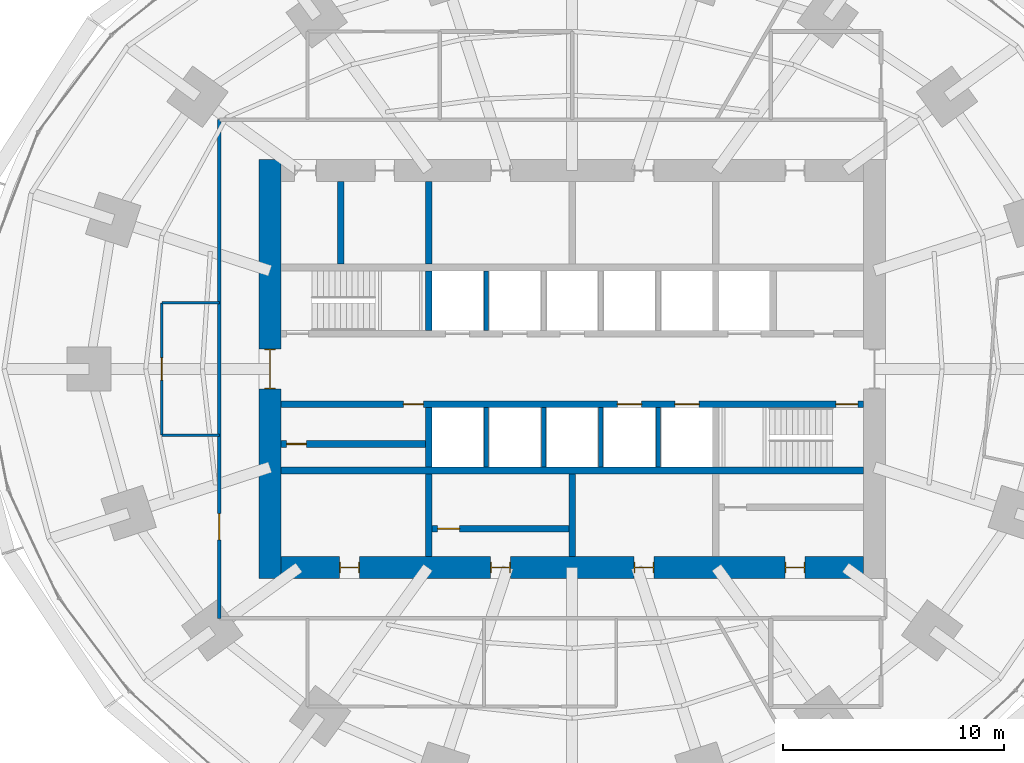
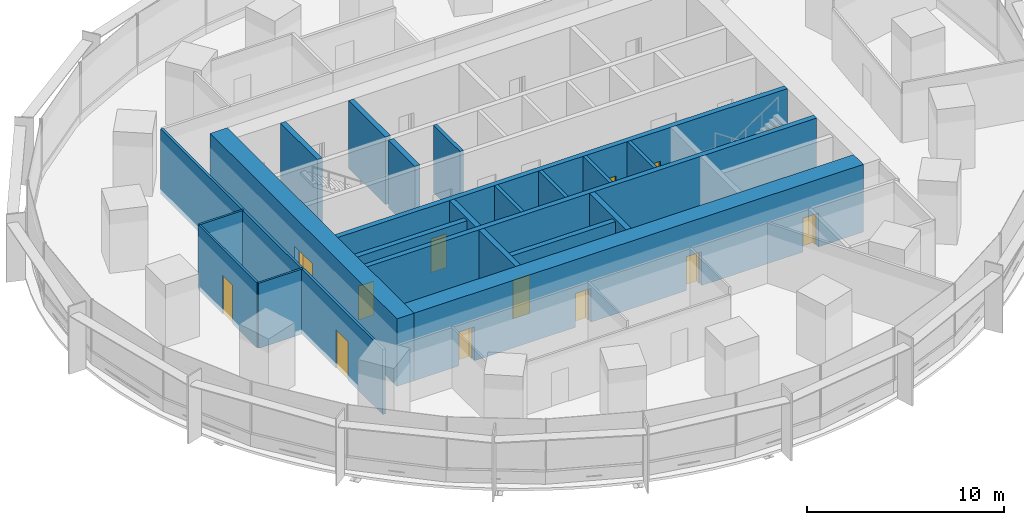
# One storey, part 11 of 15: 21 walls, 13 doors, 13 openings.
"""IFC4 building model written with IfcOpenShell, lengths in metres."""

from ifc_helpers import new_model, si_unit, direction, frame, frame_2d, origin, place, context, subcontext, project, spatial, rectangle, extrude, material, layer, layer_set, type_object, element, fill, save


model = new_model("IFC4")

# Units and contexts
model_context = context("Model", 3, precision=1e-05, world=origin(), true_north=direction((0.0, 1.0)))
body_context = subcontext(model_context, "Body", "Model", "MODEL_VIEW")
ifc_project = project(units=[si_unit("LENGTHUNIT", "METRE"), si_unit("AREAUNIT", "SQUARE_METRE"), si_unit("VOLUMEUNIT", "CUBIC_METRE"), si_unit("PLANEANGLEUNIT", "RADIAN"), si_unit("MASSUNIT", "GRAM", prefix="KILO")], contexts=[model_context])

# Site, building, storey
site_placement = place(None, origin())
site = spatial("IfcSite", under=ifc_project, at=site_placement, CompositionType="ELEMENT")
building_placement = place(site_placement, origin())
building = spatial("IfcBuilding", under=site, at=building_placement, Name="Marramba Exchange Tower", CompositionType="ELEMENT")
storey_placement = place(building_placement, frame((0.0, 0.0, 78.39990234375)))
storey = spatial("IfcBuildingStorey", under=building, at=storey_placement, Name="L18", CompositionType="ELEMENT", Elevation=78.39990234375)

# Walls
ifc_material_1 = material(Name="Concrete N50", Category="concrete")
ifc_layer_1 = layer(ifc_material_1, 0.199951171875)
ifc_layer_set_1 = layer_set([ifc_layer_1], Name="Core shaft wall 200")
wall_type_1 = type_object("IfcWallType", Name="Core shaft wall 200", PredefinedType="SHEAR", material=ifc_layer_set_1)
for number, where, z_axis, x_axis, name in (
    (1, (-3.89990234375, 1.75, 0.0), (0.0, 0.0, 1.0), (0.0, 1.0, 0.0), "Core wall SHN1 L18"),
    (2, (-3.89990234375, -1.75, 0.0), (0.0, 0.0, 1.0), (0.0, -1.0, 0.0), "Core wall SHS1 L18"),
    (3, (-1.300048828125, -1.75, 0.0), (0.0, 0.0, 1.0), (0.0, -1.0, 0.0), "Core wall SHS2 L18"),
    (4, (1.300048828125, -1.75, 0.0), (0.0, 0.0, 1.0), (0.0, -1.0, 0.0), "Core wall SHS3 L18"),
    (5, (3.89990234375, -1.75, 0.0), (0.0, 0.0, 1.0), (0.0, -1.0, 0.0), "Core wall SHS4 L18"),
):
    element("IfcWall", number, at=place(storey_placement, frame(where, z_axis=z_axis, x_axis=x_axis)), inside=storey, type_object=wall_type_1, Name=name, PredefinedType="SHEAR", context=body_context, shape_type="SweptSolid", body=[
        extrude(rectangle(XDim=2.699951171875, YDim=0.199951171875, at=frame_2d((1.35009765625, 0.0))), origin(), (0.0, 0.0, 1.0), 4.2001953125),
    ])

# Wall, openings, doors
ifc_layer_2 = layer(ifc_material_1, 1.0)
ifc_layer_set_2 = layer_set([ifc_layer_2], Name="Core wall 1000")
wall_type_2 = type_object("IfcWallType", Name="Core wall 1000", PredefinedType="SHEAR", material=ifc_layer_set_2)
wall_1_placement = place(storey_placement, frame((-13.199951171875, -9.0, 0.0), z_axis=(0.0, 0.0, 1.0), x_axis=(1.0, 0.0, 0.0)))
wall_1 = element("IfcWall", 6, at=wall_1_placement, inside=storey, type_object=wall_type_2, Name="Core wall S L18", PredefinedType="SHEAR", context=body_context, shape_type="SweptSolid", body=[
    extrude(rectangle(XDim=26.39990234375, YDim=1.0, at=frame_2d((13.199951171875, 0.0))), origin(), (0.0, 0.0, 1.0), 4.2001953125),
])
opening_1_placement = place(wall_1_placement, frame((2.64990234375, 0.0, 0.0)))
opening_1 = element("IfcOpeningElement", 7, at=opening_1_placement, cuts=wall_1, Name="Opening D5", PredefinedType="OPENING", context=body_context, shape_type="SweptSolid", body=[
    extrude(rectangle(XDim=0.89990234375, YDim=2.10009765625, at=frame_2d((0.449951171875, 1.050048828125))), frame((0.0, 0.510009765625, 0.0), z_axis=(0.0, -1.0, 0.0), x_axis=(1.0, 0.0, 0.0)), (0.0, 0.0, 1.0), 1.02001953125),
])
opening_2_placement = place(wall_1_placement, frame((9.5, 0.0, 0.0)))
opening_2 = element("IfcOpeningElement", 8, at=opening_2_placement, cuts=wall_1, Name="Opening D5", PredefinedType="OPENING", context=body_context, shape_type="SweptSolid", body=[
    extrude(rectangle(XDim=0.89990234375, YDim=2.10009765625, at=frame_2d((0.449951171875, 1.050048828125))), frame((0.0, 0.510009765625, 0.0), z_axis=(0.0, -1.0, 0.0), x_axis=(1.0, 0.0, 0.0)), (0.0, 0.0, 1.0), 1.02001953125),
])
opening_3_placement = place(wall_1_placement, frame((16.0, 0.0, 0.0)))
opening_3 = element("IfcOpeningElement", 9, at=opening_3_placement, cuts=wall_1, Name="Opening D5", PredefinedType="OPENING", context=body_context, shape_type="SweptSolid", body=[
    extrude(rectangle(XDim=0.89990234375, YDim=2.10009765625, at=frame_2d((0.449951171875, 1.050048828125))), frame((0.0, 0.510009765625, 0.0), z_axis=(0.0, -1.0, 0.0), x_axis=(1.0, 0.0, 0.0)), (0.0, 0.0, 1.0), 1.02001953125),
])
opening_4_placement = place(wall_1_placement, frame((22.85009765625, 0.0, 0.0)))
opening_4 = element("IfcOpeningElement", 10, at=opening_4_placement, cuts=wall_1, Name="Opening D5", PredefinedType="OPENING", context=body_context, shape_type="SweptSolid", body=[
    extrude(rectangle(XDim=0.89990234375, YDim=2.10009765625, at=frame_2d((0.449951171875, 1.050048828125))), frame((0.0, 0.510009765625, 0.0), z_axis=(0.0, -1.0, 0.0), x_axis=(1.0, 0.0, 0.0)), (0.0, 0.0, 1.0), 1.02001953125),
])
ifc_material_2 = material(Name="Steel-framed door", Category="steel")
door_type_1 = type_object("IfcDoorType", Name="Service door 900x2100", OperationType="SINGLE_SWING_LEFT", PredefinedType="DOOR", material=ifc_material_2)
door_1_placement = place(opening_1_placement, origin())
door_1 = element("IfcDoor", 11, at=door_1_placement, inside=storey, type_object=door_type_1, Name="D5 ahu L18", OperationType="SINGLE_SWING_LEFT", OverallHeight=2.10009765625, OverallWidth=0.89990234375, PredefinedType="DOOR", context=body_context, shape_type="SweptSolid", body=[
    extrude(rectangle(XDim=0.81982421875, YDim=2.06005859375, at=frame_2d((0.449951171875, 1.030029296875))), frame((0.0, 0.02490234375, 0.0), z_axis=(0.0, -1.0, 0.0), x_axis=(1.0, 0.0, 0.0)), (0.0, 0.0, 1.0), 0.050048828125),
    extrude(rectangle(XDim=0.04, YDim=2.10009765625, at=frame_2d((0.02001953125, 1.050048828125))), frame((0.0, 0.25, 0.0), z_axis=(0.0, -1.0, 0.0), x_axis=(1.0, 0.0, 0.0)), (0.0, 0.0, 1.0), 0.5),
    extrude(rectangle(XDim=0.04, YDim=2.10009765625, at=frame_2d((0.8798828125, 1.050048828125))), frame((0.0, 0.25, 0.0), z_axis=(0.0, -1.0, 0.0), x_axis=(1.0, 0.0, 0.0)), (0.0, 0.0, 1.0), 0.5),
    extrude(rectangle(XDim=0.81982421875, YDim=0.04, at=frame_2d((0.449951171875, 2.080078125))), frame((0.0, 0.25, 0.0), z_axis=(0.0, -1.0, 0.0), x_axis=(1.0, 0.0, 0.0)), (0.0, 0.0, 1.0), 0.5),
])
fill(opening_1, door_1)
door_2_placement = place(opening_2_placement, origin())
door_2 = element("IfcDoor", 12, at=door_2_placement, inside=storey, type_object=door_type_1, Name="D5 store L18", OperationType="SINGLE_SWING_RIGHT", OverallHeight=2.10009765625, OverallWidth=0.89990234375, PredefinedType="DOOR", context=body_context, shape_type="SweptSolid", body=[
    extrude(rectangle(XDim=0.81982421875, YDim=2.06005859375, at=frame_2d((0.449951171875, 1.030029296875))), frame((0.0, 0.02490234375, 0.0), z_axis=(0.0, -1.0, 0.0), x_axis=(1.0, 0.0, 0.0)), (0.0, 0.0, 1.0), 0.050048828125),
    extrude(rectangle(XDim=0.04, YDim=2.10009765625, at=frame_2d((0.02001953125, 1.050048828125))), frame((0.0, 0.25, 0.0), z_axis=(0.0, -1.0, 0.0), x_axis=(1.0, 0.0, 0.0)), (0.0, 0.0, 1.0), 0.5),
    extrude(rectangle(XDim=0.04, YDim=2.10009765625, at=frame_2d((0.8798828125, 1.050048828125))), frame((0.0, 0.25, 0.0), z_axis=(0.0, -1.0, 0.0), x_axis=(1.0, 0.0, 0.0)), (0.0, 0.0, 1.0), 0.5),
    extrude(rectangle(XDim=0.81982421875, YDim=0.04, at=frame_2d((0.449951171875, 2.080078125))), frame((0.0, 0.25, 0.0), z_axis=(0.0, -1.0, 0.0), x_axis=(1.0, 0.0, 0.0)), (0.0, 0.0, 1.0), 0.5),
])
fill(opening_2, door_2)
door_3_placement = place(opening_3_placement, origin())
door_3 = element("IfcDoor", 13, at=door_3_placement, inside=storey, type_object=door_type_1, Name="D5 switch L18", OperationType="SINGLE_SWING_RIGHT", OverallHeight=2.10009765625, OverallWidth=0.89990234375, PredefinedType="DOOR", context=body_context, shape_type="SweptSolid", body=[
    extrude(rectangle(XDim=0.81982421875, YDim=2.06005859375, at=frame_2d((0.449951171875, 1.030029296875))), frame((0.0, 0.02490234375, 0.0), z_axis=(0.0, -1.0, 0.0), x_axis=(1.0, 0.0, 0.0)), (0.0, 0.0, 1.0), 0.050048828125),
    extrude(rectangle(XDim=0.04, YDim=2.10009765625, at=frame_2d((0.02001953125, 1.050048828125))), frame((0.0, 0.25, 0.0), z_axis=(0.0, -1.0, 0.0), x_axis=(1.0, 0.0, 0.0)), (0.0, 0.0, 1.0), 0.5),
    extrude(rectangle(XDim=0.04, YDim=2.10009765625, at=frame_2d((0.8798828125, 1.050048828125))), frame((0.0, 0.25, 0.0), z_axis=(0.0, -1.0, 0.0), x_axis=(1.0, 0.0, 0.0)), (0.0, 0.0, 1.0), 0.5),
    extrude(rectangle(XDim=0.81982421875, YDim=0.04, at=frame_2d((0.449951171875, 2.080078125))), frame((0.0, 0.25, 0.0), z_axis=(0.0, -1.0, 0.0), x_axis=(1.0, 0.0, 0.0)), (0.0, 0.0, 1.0), 0.5),
])
fill(opening_3, door_3)
door_4_placement = place(opening_4_placement, origin())
door_4 = element("IfcDoor", 14, at=door_4_placement, inside=storey, type_object=door_type_1, Name="D5 cstore L18", OperationType="SINGLE_SWING_RIGHT", OverallHeight=2.10009765625, OverallWidth=0.89990234375, PredefinedType="DOOR", context=body_context, shape_type="SweptSolid", body=[
    extrude(rectangle(XDim=0.81982421875, YDim=2.06005859375, at=frame_2d((0.449951171875, 1.030029296875))), frame((0.0, 0.02490234375, 0.0), z_axis=(0.0, -1.0, 0.0), x_axis=(1.0, 0.0, 0.0)), (0.0, 0.0, 1.0), 0.050048828125),
    extrude(rectangle(XDim=0.04, YDim=2.10009765625, at=frame_2d((0.02001953125, 1.050048828125))), frame((0.0, 0.25, 0.0), z_axis=(0.0, -1.0, 0.0), x_axis=(1.0, 0.0, 0.0)), (0.0, 0.0, 1.0), 0.5),
    extrude(rectangle(XDim=0.04, YDim=2.10009765625, at=frame_2d((0.8798828125, 1.050048828125))), frame((0.0, 0.25, 0.0), z_axis=(0.0, -1.0, 0.0), x_axis=(1.0, 0.0, 0.0)), (0.0, 0.0, 1.0), 0.5),
    extrude(rectangle(XDim=0.81982421875, YDim=0.04, at=frame_2d((0.449951171875, 2.080078125))), frame((0.0, 0.25, 0.0), z_axis=(0.0, -1.0, 0.0), x_axis=(1.0, 0.0, 0.0)), (0.0, 0.0, 1.0), 0.5),
])
fill(opening_4, door_4)

# Wall, opening, door
wall_2_placement = place(storey_placement, frame((-13.699951171875, 9.5, 0.0), z_axis=(0.0, 0.0, 1.0), x_axis=(0.0, -1.0, 0.0)))
wall_2 = element("IfcWall", 15, at=wall_2_placement, inside=storey, type_object=wall_type_2, Name="Core wall W L18", PredefinedType="SHEAR", context=body_context, shape_type="SweptSolid", body=[
    extrude(rectangle(XDim=19.0, YDim=1.0, at=frame_2d((9.5, 0.0))), origin(), (0.0, 0.0, 1.0), 4.2001953125),
])
opening_5_placement = place(wall_2_placement, frame((8.60009765625, 0.0, 0.0)))
opening_5 = element("IfcOpeningElement", 16, at=opening_5_placement, cuts=wall_2, Name="Opening D1", PredefinedType="OPENING", context=body_context, shape_type="SweptSolid", body=[
    extrude(rectangle(XDim=1.800048828125, YDim=2.39990234375, at=frame_2d((0.89990234375, 1.199951171875))), frame((0.0, 0.510009765625, 0.0), z_axis=(0.0, -1.0, 0.0), x_axis=(1.0, 0.0, 0.0)), (0.0, 0.0, 1.0), 1.02001953125),
])
door_type_2 = type_object("IfcDoorType", Name="Lobby exit door 1800x2400", OperationType="DOUBLE_DOOR_SINGLE_SWING", PredefinedType="DOOR", material=ifc_material_2)
door_5_placement = place(opening_5_placement, origin())
door_5 = element("IfcDoor", 17, at=door_5_placement, inside=storey, type_object=door_type_2, Name="D1 lobby exit west L18", OperationType="DOUBLE_DOOR_SINGLE_SWING", OverallHeight=2.39990234375, OverallWidth=1.800048828125, PredefinedType="DOOR", context=body_context, shape_type="SweptSolid", body=[
    extrude(rectangle(XDim=1.719970703125, YDim=2.35986328125, at=frame_2d((0.89990234375, 1.179931640625))), frame((0.0, 0.02490234375, 0.0), z_axis=(0.0, -1.0, 0.0), x_axis=(1.0, 0.0, 0.0)), (0.0, 0.0, 1.0), 0.050048828125),
    extrude(rectangle(XDim=0.04, YDim=2.39990234375, at=frame_2d((0.02001953125, 1.199951171875))), frame((0.0, 0.25, 0.0), z_axis=(0.0, -1.0, 0.0), x_axis=(1.0, 0.0, 0.0)), (0.0, 0.0, 1.0), 0.5),
    extrude(rectangle(XDim=0.04, YDim=2.39990234375, at=frame_2d((1.780029296875, 1.199951171875))), frame((0.0, 0.25, 0.0), z_axis=(0.0, -1.0, 0.0), x_axis=(1.0, 0.0, 0.0)), (0.0, 0.0, 1.0), 0.5),
    extrude(rectangle(XDim=1.719970703125, YDim=0.04, at=frame_2d((0.89990234375, 2.3798828125))), frame((0.0, 0.25, 0.0), z_axis=(0.0, -1.0, 0.0), x_axis=(1.0, 0.0, 0.0)), (0.0, 0.0, 1.0), 0.5),
])
fill(opening_5, door_5)

# Wall, openings, doors
ifc_layer_3 = layer(ifc_material_1, 0.300048828125)
ifc_layer_set_3 = layer_set([ifc_layer_3], Name="Core wall 300")
wall_type_3 = type_object("IfcWallType", Name="Core wall 300", PredefinedType="SHEAR", material=ifc_layer_set_3)
wall_3_placement = place(storey_placement, frame((-13.199951171875, -1.60009765625, 0.0), z_axis=(0.0, 0.0, 1.0), x_axis=(1.0, 0.0, 0.0)))
wall_3 = element("IfcWall", 18, at=wall_3_placement, inside=storey, type_object=wall_type_3, Name="Core wall LS L18", PredefinedType="SHEAR", context=body_context, shape_type="SweptSolid", body=[
    extrude(rectangle(XDim=26.39990234375, YDim=0.300048828125, at=frame_2d((13.199951171875, 0.0))), origin(), (0.0, 0.0, 1.0), 4.2001953125),
])
opening_6_placement = place(wall_3_placement, frame((25.14990234375, 0.0, 0.0)))
opening_6 = element("IfcOpeningElement", 19, at=opening_6_placement, cuts=wall_3, Name="Opening D2", PredefinedType="OPENING", context=body_context, shape_type="SweptSolid", body=[
    extrude(rectangle(XDim=1.0, YDim=2.10009765625, at=frame_2d((0.5, 1.050048828125))), frame((0.0, 0.159912109375, 0.0), z_axis=(0.0, -1.0, 0.0), x_axis=(1.0, 0.0, 0.0)), (0.0, 0.0, 1.0), 0.320068359375),
])
opening_7_placement = place(wall_3_placement, frame((15.25, 0.0, 0.0)))
opening_7 = element("IfcOpeningElement", 20, at=opening_7_placement, cuts=wall_3, Name="Opening LD2", PredefinedType="OPENING", context=body_context, shape_type="SweptSolid", body=[
    extrude(rectangle(XDim=1.10009765625, YDim=2.300048828125, at=frame_2d((0.550048828125, 1.14990234375))), frame((0.0, 0.159912109375, 0.0), z_axis=(0.0, -1.0, 0.0), x_axis=(1.0, 0.0, 0.0)), (0.0, 0.0, 1.0), 0.320068359375),
])
opening_8_placement = place(wall_3_placement, frame((17.85009765625, 0.0, 0.0)))
opening_8 = element("IfcOpeningElement", 21, at=opening_8_placement, cuts=wall_3, Name="Opening LD2", PredefinedType="OPENING", context=body_context, shape_type="SweptSolid", body=[
    extrude(rectangle(XDim=1.10009765625, YDim=2.300048828125, at=frame_2d((0.550048828125, 1.14990234375))), frame((0.0, 0.159912109375, 0.0), z_axis=(0.0, -1.0, 0.0), x_axis=(1.0, 0.0, 0.0)), (0.0, 0.0, 1.0), 0.320068359375),
])
opening_9_placement = place(wall_3_placement, frame((5.550048828125, 0.0, 0.0)))
opening_9 = element("IfcOpeningElement", 22, at=opening_9_placement, cuts=wall_3, Name="Opening D5", PredefinedType="OPENING", context=body_context, shape_type="SweptSolid", body=[
    extrude(rectangle(XDim=0.89990234375, YDim=2.10009765625, at=frame_2d((0.449951171875, 1.050048828125))), frame((0.0, 0.159912109375, 0.0), z_axis=(0.0, -1.0, 0.0), x_axis=(1.0, 0.0, 0.0)), (0.0, 0.0, 1.0), 0.320068359375),
])
door_type_3 = type_object("IfcDoorType", Name="Emergency lift landing door 1100x2300", OperationType="SLIDING_TO_LEFT", PredefinedType="DOOR", material=ifc_material_2)
door_6_placement = place(opening_7_placement, frame((1.10009765625, 0.0, 0.0), z_axis=(0.0, 0.0, 1.0), x_axis=(-1.0, 0.0, 0.0)))
door_6 = element("IfcDoor", 23, at=door_6_placement, inside=storey, type_object=door_type_3, Name="FL1 landing door L18", OperationType="SLIDING_TO_RIGHT", OverallHeight=2.300048828125, OverallWidth=1.10009765625, PredefinedType="DOOR", context=body_context, shape_type="SweptSolid", body=[
    extrude(rectangle(XDim=1.10009765625, YDim=2.300048828125, at=frame_2d((0.550048828125, 1.14990234375))), frame((0.0, 0.025146484375, 0.0), z_axis=(0.0, -1.0, 0.0), x_axis=(1.0, 0.0, 0.0)), (0.0, 0.0, 1.0), 0.050048828125),
])
fill(opening_7, door_6)
door_7_placement = place(opening_8_placement, frame((1.10009765625, 0.0, 0.0), z_axis=(0.0, 0.0, 1.0), x_axis=(-1.0, 0.0, 0.0)))
door_7 = element("IfcDoor", 24, at=door_7_placement, inside=storey, type_object=door_type_3, Name="FL2 landing door L18", OperationType="SLIDING_TO_LEFT", OverallHeight=2.300048828125, OverallWidth=1.10009765625, PredefinedType="DOOR", context=body_context, shape_type="SweptSolid", body=[
    extrude(rectangle(XDim=1.10009765625, YDim=2.300048828125, at=frame_2d((0.550048828125, 1.14990234375))), frame((0.0, 0.025146484375, 0.0), z_axis=(0.0, -1.0, 0.0), x_axis=(1.0, 0.0, 0.0)), (0.0, 0.0, 1.0), 0.050048828125),
])
fill(opening_8, door_7)
door_8_placement = place(opening_9_placement, frame((0.89990234375, 0.0, 0.0), z_axis=(0.0, 0.0, 1.0), x_axis=(-1.0, 0.0, 0.0)))
door_8 = element("IfcDoor", 25, at=door_8_placement, inside=storey, type_object=door_type_1, Name="D5 electrical riser L18", OperationType="SINGLE_SWING_LEFT", OverallHeight=2.10009765625, OverallWidth=0.89990234375, PredefinedType="DOOR", context=body_context, shape_type="SweptSolid", body=[
    extrude(rectangle(XDim=0.89990234375, YDim=2.10009765625, at=frame_2d((0.449951171875, 1.050048828125))), frame((0.0, 0.025146484375, 0.0), z_axis=(0.0, -1.0, 0.0), x_axis=(1.0, 0.0, 0.0)), (0.0, 0.0, 1.0), 0.050048828125),
])
fill(opening_9, door_8)
door_type_4 = type_object("IfcDoorType", Name="Stair door 1000x2100", OperationType="SINGLE_SWING_LEFT", PredefinedType="DOOR", material=ifc_material_2)
door_9_placement = place(opening_6_placement, frame((1.0, 0.0, 0.0), z_axis=(0.0, 0.0, 1.0), x_axis=(-1.0, 0.0, 0.0)))
door_9 = element("IfcDoor", 26, at=door_9_placement, inside=storey, type_object=door_type_4, Name="D2 stair ST2 L18", OperationType="SINGLE_SWING_LEFT", OverallHeight=2.10009765625, OverallWidth=1.0, PredefinedType="DOOR", context=body_context, shape_type="SweptSolid", body=[
    extrude(rectangle(XDim=1.0, YDim=2.10009765625, at=frame_2d((0.5, 1.050048828125))), frame((0.0, 0.025146484375, 0.0), z_axis=(0.0, -1.0, 0.0), x_axis=(1.0, 0.0, 0.0)), (0.0, 0.0, 1.0), 0.050048828125),
])
fill(opening_6, door_9)

# Walls
wall_4_placement = place(storey_placement, frame((-13.199951171875, -4.60009765625, 0.0), z_axis=(0.0, 0.0, 1.0), x_axis=(1.0, 0.0, 0.0)))
element("IfcWall", 27, at=wall_4_placement, inside=storey, type_object=wall_type_3, Name="Core wall BS L18", PredefinedType="SHEAR", context=body_context, shape_type="SweptSolid", body=[
    extrude(rectangle(XDim=26.39990234375, YDim=0.300048828125, at=frame_2d((13.199951171875, 0.0))), origin(), (0.0, 0.0, 1.0), 4.2001953125),
])
wall_5_placement = place(storey_placement, frame((-6.5, 1.75, 0.0), z_axis=(0.0, 0.0, 1.0), x_axis=(0.0, 1.0, 0.0)))
element("IfcWall", 28, at=wall_5_placement, inside=storey, type_object=wall_type_3, Name="Core wall X0Na L18", PredefinedType="SHEAR", context=body_context, shape_type="SweptSolid", body=[
    extrude(rectangle(XDim=2.699951171875, YDim=0.300048828125, at=frame_2d((1.35009765625, 0.0))), origin(), (0.0, 0.0, 1.0), 4.2001953125),
])
wall_6_placement = place(storey_placement, frame((-6.5, 4.75, 0.0), z_axis=(0.0, 0.0, 1.0), x_axis=(0.0, 1.0, 0.0)))
element("IfcWall", 29, at=wall_6_placement, inside=storey, type_object=wall_type_3, Name="Core wall X0Nb L18", PredefinedType="SHEAR", context=body_context, shape_type="SweptSolid", body=[
    extrude(rectangle(XDim=3.75, YDim=0.300048828125, at=frame_2d((1.875, 0.0))), origin(), (0.0, 0.0, 1.0), 4.2001953125),
])
wall_7_placement = place(storey_placement, frame((-6.5, -1.75, 0.0), z_axis=(0.0, 0.0, 1.0), x_axis=(0.0, -1.0, 0.0)))
element("IfcWall", 30, at=wall_7_placement, inside=storey, type_object=wall_type_3, Name="Core wall X0Sa L18", PredefinedType="SHEAR", context=body_context, shape_type="SweptSolid", body=[
    extrude(rectangle(XDim=2.699951171875, YDim=0.300048828125, at=frame_2d((1.35009765625, 0.0))), origin(), (0.0, 0.0, 1.0), 4.2001953125),
])
for number, where, z_axis, x_axis, name in (
    (31, (-6.5, -4.75, 0.0), (0.0, 0.0, 1.0), (0.0, -1.0, 0.0), "Core wall X0Sb L18"),
    (32, (0.0, -4.75, 0.0), (0.0, 0.0, 1.0), (0.0, -1.0, 0.0), "Core wall MS L18"),
    (33, (-10.5, 4.75, 0.0), (0.0, 0.0, 1.0), (0.0, 1.0, 0.0), "Core wall WD L18"),
):
    element("IfcWall", number, at=place(storey_placement, frame(where, z_axis=z_axis, x_axis=x_axis)), inside=storey, type_object=wall_type_3, Name=name, PredefinedType="SHEAR", context=body_context, shape_type="SweptSolid", body=[
        extrude(rectangle(XDim=3.75, YDim=0.300048828125, at=frame_2d((1.875, 0.0))), origin(), (0.0, 0.0, 1.0), 4.2001953125),
    ])
ifc_material_3 = material(Name="Plasterboard on steel studs", Category="steel")
ifc_layer_4 = layer(ifc_material_3, 0.1201171875)
ifc_layer_set_4 = layer_set([ifc_layer_4], Name="Partition 120")
wall_type_4 = type_object("IfcWallType", Name="Partition 120", PredefinedType="PARTITIONING", material=ifc_layer_set_4)
for number, where, z_axis, x_axis, name in (
    (34, (-18.60009765625, -3.0, 0.0), (0.0, 0.0, 1.0), (1.0, 0.0, 0.0), "Partition L18 01"),
    (35, (-16.0, 3.0, 0.0), (0.0, 0.0, 1.0), (-1.0, 0.0, 0.0), "Partition L18 32"),
):
    element("IfcWall", number, at=place(storey_placement, frame(where, z_axis=z_axis, x_axis=x_axis)), inside=storey, type_object=wall_type_4, Name=name, PredefinedType="PARTITIONING", context=body_context, shape_type="SweptSolid", body=[
        extrude(rectangle(XDim=2.60009765625, YDim=0.1201171875, at=frame_2d((1.300048828125, 0.0))), origin(), (0.0, 0.0, 1.0), 4.0400390625),
    ])

# Wall, opening, door
wall_8_placement = place(storey_placement, frame((-18.60009765625, 3.0, 0.0), z_axis=(0.0, 0.0, 1.0), x_axis=(0.0, -1.0, 0.0)))
wall_8 = element("IfcWall", 36, at=wall_8_placement, inside=storey, type_object=wall_type_4, Name="Partition L18 33", PredefinedType="PARTITIONING", context=body_context, shape_type="SweptSolid", body=[
    extrude(rectangle(XDim=6.0, YDim=0.1201171875, at=frame_2d((3.0, 0.0))), origin(), (0.0, 0.0, 1.0), 4.0400390625),
])
opening_10_placement = place(wall_8_placement, frame((2.5, 0.0, 0.0)))
opening_10 = element("IfcOpeningElement", 37, at=opening_10_placement, cuts=wall_8, Name="Opening D9", PredefinedType="OPENING", context=body_context, shape_type="SweptSolid", body=[
    extrude(rectangle(XDim=1.0, YDim=2.39990234375, at=frame_2d((0.5, 1.199951171875))), frame((0.0, 0.070068359375, 0.0), z_axis=(0.0, -1.0, 0.0), x_axis=(1.0, 0.0, 0.0)), (0.0, 0.0, 1.0), 0.14013671875),
])
ifc_material_4 = material(Name="Timber door", Category="wood")
door_type_5 = type_object("IfcDoorType", Name="Room door 1000x2400", OperationType="SINGLE_SWING_LEFT", PredefinedType="DOOR", material=ifc_material_4)
door_10_placement = place(opening_10_placement, origin())
door_10 = element("IfcDoor", 38, at=door_10_placement, inside=storey, type_object=door_type_5, Name="D9 Print Room L18", OperationType="SINGLE_SWING_RIGHT", OverallHeight=2.39990234375, OverallWidth=1.0, PredefinedType="DOOR", context=body_context, shape_type="SweptSolid", body=[
    extrude(rectangle(XDim=1.0, YDim=2.39990234375, at=frame_2d((0.5, 1.199951171875))), frame((0.0, 0.02490234375, 0.0), z_axis=(0.0, -1.0, 0.0), x_axis=(1.0, 0.0, 0.0)), (0.0, 0.0, 1.0), 0.050048828125),
])
fill(opening_10, door_10)

ifc_material_5 = material(Name="Core-filled concrete blockwork", Category="masonry")
ifc_layer_5 = layer(ifc_material_5, 0.300048828125)
ifc_layer_set_5 = layer_set([ifc_layer_5], Name="Riser enclosure wall 300")
wall_type_5 = type_object("IfcWallType", Name="Riser enclosure wall 300", PredefinedType="SOLIDWALL", material=ifc_layer_set_5)
wall_9_placement = place(storey_placement, frame((-13.199951171875, -3.39990234375, 0.0), z_axis=(0.0, 0.0, 1.0), x_axis=(1.0, 0.0, 0.0)))
wall_9 = element("IfcWall", 39, at=wall_9_placement, inside=storey, type_object=wall_type_5, Name="Riser enclosure wall L18", PredefinedType="SOLIDWALL", context=body_context, shape_type="SweptSolid", body=[
    extrude(rectangle(XDim=6.550048828125, YDim=0.300048828125, at=frame_2d((3.27490234375, 0.0))), origin(), (0.0, 0.0, 1.0), 4.0400390625),
])
opening_11_placement = place(wall_9_placement, frame((0.25, 0.0, 0.0)))
opening_11 = element("IfcOpeningElement", 40, at=opening_11_placement, cuts=wall_9, Name="Opening D5", PredefinedType="OPENING", context=body_context, shape_type="SweptSolid", body=[
    extrude(rectangle(XDim=0.89990234375, YDim=2.10009765625, at=frame_2d((0.449951171875, 1.050048828125))), frame((0.0, 0.159912109375, 0.0), z_axis=(0.0, -1.0, 0.0), x_axis=(1.0, 0.0, 0.0)), (0.0, 0.0, 1.0), 0.320068359375),
])
door_11_placement = place(opening_11_placement, frame((0.89990234375, 0.0, 0.0), z_axis=(0.0, 0.0, 1.0), x_axis=(-1.0, 0.0, 0.0)))
door_11 = element("IfcDoor", 41, at=door_11_placement, inside=storey, type_object=door_type_1, Name="D5 electrical riser back L18", OperationType="SINGLE_SWING_RIGHT", OverallHeight=2.10009765625, OverallWidth=0.89990234375, PredefinedType="DOOR", context=body_context, shape_type="SweptSolid", body=[
    extrude(rectangle(XDim=0.89990234375, YDim=2.10009765625, at=frame_2d((0.449951171875, 1.050048828125))), frame((0.0, 0.025146484375, 0.0), z_axis=(0.0, -1.0, 0.0), x_axis=(1.0, 0.0, 0.0)), (0.0, 0.0, 1.0), 0.050048828125),
])
fill(opening_11, door_11)

ifc_material_6 = material(Name="Plasterboard on steel studs, insulated, unrated", Category="steel")
ifc_layer_6 = layer(ifc_material_6, 0.300048828125)
ifc_layer_set_6 = layer_set([ifc_layer_6], Name="Store partition 300")
wall_type_6 = type_object("IfcWallType", Name="Store partition 300", PredefinedType="PARTITIONING", material=ifc_layer_set_6)
wall_10_placement = place(storey_placement, frame((-6.35009765625, -7.239990234375, 0.0), z_axis=(0.0, 0.0, 1.0), x_axis=(1.0, 0.0, 0.0)))
wall_10 = element("IfcWall", 42, at=wall_10_placement, inside=storey, type_object=wall_type_6, Name="Store partition L18 store", PredefinedType="PARTITIONING", context=body_context, shape_type="SweptSolid", body=[
    extrude(rectangle(XDim=6.2001953125, YDim=0.300048828125, at=frame_2d((3.10009765625, 0.0))), origin(), (0.0, 0.0, 1.0), 4.0400390625),
])
opening_12_placement = place(wall_10_placement, frame((0.25, 0.0, 0.0)))
opening_12 = element("IfcOpeningElement", 43, at=opening_12_placement, cuts=wall_10, Name="Opening D9", PredefinedType="OPENING", context=body_context, shape_type="SweptSolid", body=[
    extrude(rectangle(XDim=1.0, YDim=2.39990234375, at=frame_2d((0.5, 1.199951171875))), frame((0.0, 0.159912109375, 0.0), z_axis=(0.0, -1.0, 0.0), x_axis=(1.0, 0.0, 0.0)), (0.0, 0.0, 1.0), 0.320068359375),
])
door_12_placement = place(opening_12_placement, frame((1.0, 0.0, 0.0), z_axis=(0.0, 0.0, 1.0), x_axis=(-1.0, 0.0, 0.0)))
door_12 = element("IfcDoor", 44, at=door_12_placement, inside=storey, type_object=door_type_5, Name="D9 stationery store L18", OperationType="SINGLE_SWING_RIGHT", OverallHeight=2.39990234375, OverallWidth=1.0, PredefinedType="DOOR", context=body_context, shape_type="SweptSolid", body=[
    extrude(rectangle(XDim=1.0, YDim=2.39990234375, at=frame_2d((0.5, 1.199951171875))), frame((0.0, 0.025146484375, 0.0), z_axis=(0.0, -1.0, 0.0), x_axis=(1.0, 0.0, 0.0)), (0.0, 0.0, 1.0), 0.050048828125),
])
fill(opening_12, door_12)

ifc_material_7 = material(Name="Fire-rated plasterboard on steel studs, acoustic insulation", Category="steel")
ifc_layer_7 = layer(ifc_material_7, 0.14990234375)
ifc_layer_set_7 = layer_set([ifc_layer_7], Name="Tenancy wall 150")
wall_type_7 = type_object("IfcWallType", Name="Tenancy wall 150", PredefinedType="PARTITIONING", material=ifc_layer_set_7)
wall_11_placement = place(storey_placement, frame((-16.0, 11.300048828125, 0.0), z_axis=(0.0, 0.0, 1.0), x_axis=(0.0, -1.0, 0.0)))
wall_11 = element("IfcWall", 45, at=wall_11_placement, inside=storey, type_object=wall_type_7, Name="Tenancy wall L18 34", PredefinedType="PARTITIONING", context=body_context, shape_type="SweptSolid", body=[
    extrude(rectangle(XDim=22.60009765625, YDim=0.14990234375, at=frame_2d((11.300048828125, 0.0))), origin(), (0.0, 0.0, 1.0), 4.0400390625),
])
opening_13_placement = place(wall_11_placement, frame((17.85009765625, 0.0, 0.0)))
opening_13 = element("IfcOpeningElement", 46, at=opening_13_placement, cuts=wall_11, Name="Opening D13", PredefinedType="OPENING", context=body_context, shape_type="SweptSolid", body=[
    extrude(rectangle(XDim=1.199951171875, YDim=2.39990234375, at=frame_2d((0.60009765625, 1.199951171875))), frame((0.0, 0.0849609375, 0.0), z_axis=(0.0, -1.0, 0.0), x_axis=(1.0, 0.0, 0.0)), (0.0, 0.0, 1.0), 0.169921875),
])
door_type_6 = type_object("IfcDoorType", Name="Tenancy entry door 1200x2400", OperationType="SINGLE_SWING_LEFT", PredefinedType="DOOR", material=ifc_material_2)
door_13_placement = place(opening_13_placement, origin())
door_13 = element("IfcDoor", 47, at=door_13_placement, inside=storey, type_object=door_type_6, Name="D13 Office L18", OperationType="SINGLE_SWING_RIGHT", OverallHeight=2.39990234375, OverallWidth=1.199951171875, PredefinedType="DOOR", context=body_context, shape_type="SweptSolid", body=[
    extrude(rectangle(XDim=1.199951171875, YDim=2.39990234375, at=frame_2d((0.60009765625, 1.199951171875))), frame((0.0, 0.02490234375, 0.0), z_axis=(0.0, -1.0, 0.0), x_axis=(1.0, 0.0, 0.0)), (0.0, 0.0, 1.0), 0.050048828125),
])
fill(opening_13, door_13)

save(model, "model.ifc")
